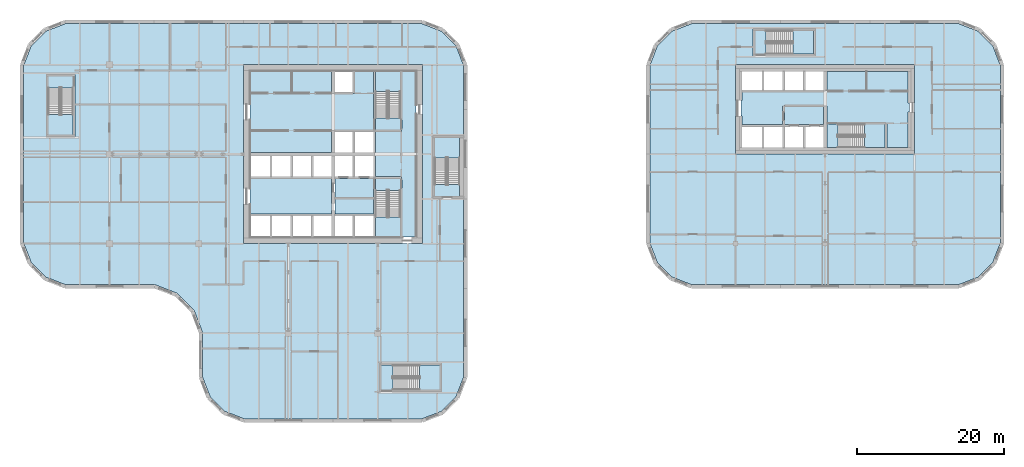
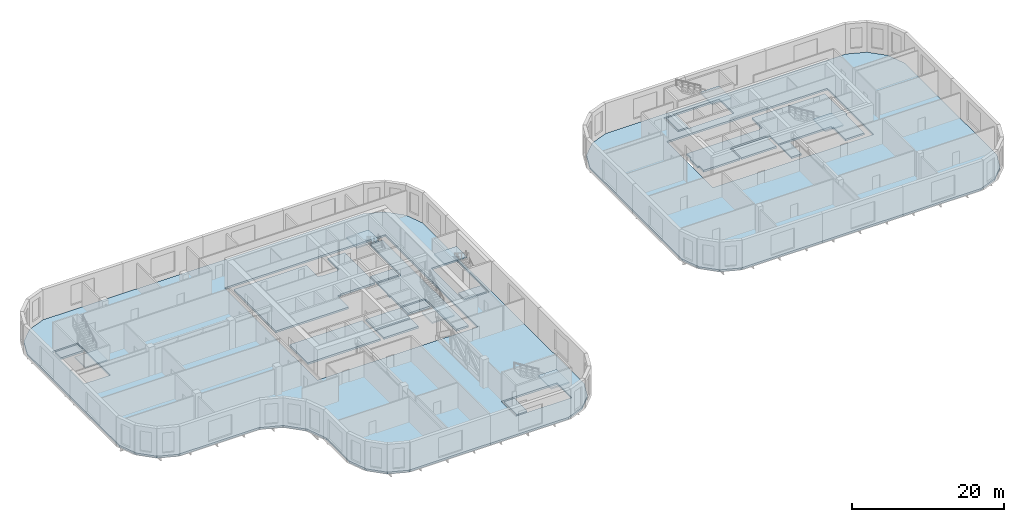
# One storey, part 7 of 21: 23 slabs, 7 elements without a shape of their own.
"""IFC4 building model written with IfcOpenShell, lengths in metres."""

from ifc_helpers import new_model, si_unit, direction, frame, origin, place, context, subcontext, project, spatial, polyline, outline, extrude, material, layer, layer_set, type_object, element, aggregate, save


model = new_model("IFC4")

# Units and contexts
model_context = context("Model", 3, precision=1e-05, world=origin(), true_north=direction((0.0, 1.0)))
body_context = subcontext(model_context, "Body", "Model", "MODEL_VIEW")
ifc_project = project(units=[si_unit("LENGTHUNIT", "METRE"), si_unit("AREAUNIT", "SQUARE_METRE"), si_unit("VOLUMEUNIT", "CUBIC_METRE"), si_unit("PLANEANGLEUNIT", "RADIAN"), si_unit("MASSUNIT", "GRAM", prefix="KILO")], contexts=[model_context])

# Site, building, storey
site_placement = place(None, origin())
site = spatial("IfcSite", under=ifc_project, at=site_placement, CompositionType="ELEMENT")
building_placement = place(site_placement, origin())
building = spatial("IfcBuilding", under=site, at=building_placement, Name="Tessera Gate Towers", CompositionType="ELEMENT")
storey_placement = place(building_placement, frame((0.0, 0.0, 63.800048828125)))
storey = spatial("IfcBuildingStorey", under=building, at=storey_placement, Name="L15", CompositionType="ELEMENT", Elevation=63.800048828125)

# Slabs
ifc_material_1 = material(Name="Concrete C35/45", Category="concrete")
ifc_layer_1 = layer(ifc_material_1, 0.300048828125)
ifc_layer_set_1 = layer_set([ifc_layer_1], Name="COMPOSITE FLOOR 300")
slab_type_1 = type_object("IfcSlabType", Name="COMPOSITE FLOOR 300", PredefinedType="FLOOR", material=ifc_layer_set_1)
slab_1_placement = place(storey_placement, frame((0.0, 0.0, -0.300048828125)))
element("IfcSlab", 1, at=slab_1_placement, inside=storey, type_object=slab_type_1, Name="T1-L15", PredefinedType="FLOOR", context=body_context, shape_type="SweptSolid", body=[
    extrude(outline(polyline([(0.5, 24.4931640625), (1.526123046875, 21.8330078125), (3.533203125, 19.826171875), (6.193115234375, 18.800048828125), (18.39306640625, 18.800048828125), (21.42431640625, 17.630615234375), (23.730712890625, 15.32421875), (24.89990234375, 12.293212890625), (24.89990234375, 6.193115234375), (25.926025390625, 3.533203125), (27.93310546875, 1.526123046875), (30.593017578125, 0.5), (54.806884765625, 0.5), (57.466796875, 1.526123046875), (59.473876953125, 3.533203125), (60.5, 6.193115234375), (60.5, 48.706787109375), (59.473876953125, 51.366943359375), (57.466796875, 53.373779296875), (54.806884765625, 54.39990234375), (6.193115234375, 54.39990234375), (3.533203125, 53.373779296875), (1.526123046875, 51.366943359375), (0.5, 48.706787109375), (0.5, 24.4931640625)]), holes=[polyline([(3.60009765625, 39.0), (3.60009765625, 47.5), (7.5, 47.5), (7.5, 39.0), (3.60009765625, 39.0)]), polyline([(30.5, 24.39990234375), (30.5, 48.800048828125), (54.89990234375, 48.800048828125), (54.89990234375, 24.39990234375), (30.5, 24.39990234375)]), polyline([(49.0, 4.199951171875), (49.0, 8.10009765625), (57.5, 8.10009765625), (57.5, 4.199951171875), (49.0, 4.199951171875)]), polyline([(56.300048828125, 30.60009765625), (56.300048828125, 39.10009765625), (60.199951171875, 39.10009765625), (60.199951171875, 30.60009765625), (56.300048828125, 30.60009765625)])]), origin(), (0.0, 0.0, 1.0), 0.300048828125),
])
slab_2_placement = place(storey_placement, frame((0.0, 0.0, -0.300048828125)))
element("IfcSlab", 2, at=slab_2_placement, inside=storey, type_object=slab_type_1, Name="T2-L15", PredefinedType="FLOOR", context=body_context, shape_type="SweptSolid", body=[
    extrude(outline(polyline([(85.89990234375, 24.4931640625), (86.926025390625, 21.8330078125), (88.93310546875, 19.826171875), (91.593017578125, 18.800048828125), (128.0068359375, 18.800048828125), (130.6669921875, 19.826171875), (132.673828125, 21.8330078125), (133.699951171875, 24.4931640625), (133.699951171875, 48.706787109375), (132.673828125, 51.366943359375), (130.6669921875, 53.373779296875), (128.0068359375, 54.39990234375), (91.593017578125, 54.39990234375), (88.93310546875, 53.373779296875), (86.926025390625, 51.366943359375), (85.89990234375, 48.706787109375), (85.89990234375, 24.4931640625)]), holes=[polyline([(97.60009765625, 36.60009765625), (97.60009765625, 48.800048828125), (122.0, 48.800048828125), (122.0, 36.60009765625), (97.60009765625, 36.60009765625)]), polyline([(100.0, 50.0), (100.0, 53.699951171875), (108.5, 53.699951171875), (108.5, 50.0), (100.0, 50.0)])]), origin(), (0.0, 0.0, 1.0), 0.300048828125),
])
ifc_material_2 = material(Name="Concrete C35/45", Category="concrete")
ifc_layer_2 = layer(ifc_material_2, 0.300048828125)
ifc_layer_set_2 = layer_set([ifc_layer_2], Name="CORE FLOOR SLAB 300")
slab_type_2 = type_object("IfcSlabType", Name="CORE FLOOR SLAB 300", PredefinedType="FLOOR", material=ifc_layer_set_2)
slab_3_placement = place(storey_placement, frame((0.0, 0.0, -0.300048828125)))
element("IfcSlab", 3, at=slab_3_placement, inside=storey, type_object=slab_type_2, Name="L15 core floor slab", PredefinedType="FLOOR", context=body_context, shape_type="SweptSolid", body=[
    extrude(outline(polyline([(31.39990234375, 47.89990234375), (31.39990234375, 36.85009765625), (42.449951171875, 36.85009765625), (42.449951171875, 39.800048828125), (42.949951171875, 39.800048828125), (42.949951171875, 39.925048828125), (48.22509765625, 39.925048828125), (48.22509765625, 47.89990234375), (45.64990234375, 47.89990234375), (45.64990234375, 44.89990234375), (45.39990234375, 44.89990234375), (45.39990234375, 44.77490234375), (42.949951171875, 44.77490234375), (42.949951171875, 44.89990234375), (42.449951171875, 44.89990234375), (42.449951171875, 47.89990234375), (31.39990234375, 47.89990234375)])), origin(), (0.0, 0.0, 1.0), 0.300048828125),
])
slab_4_placement = place(storey_placement, frame((0.0, 0.0, -0.300048828125)))
element("IfcSlab", 4, at=slab_4_placement, inside=storey, type_object=slab_type_2, Name="L15 core floor slab", PredefinedType="FLOOR", context=body_context, shape_type="SweptSolid", body=[
    extrude(outline(polyline([(48.35009765625, 36.85009765625), (48.35009765625, 36.35009765625), (48.47509765625, 36.35009765625), (48.47509765625, 33.52490234375), (52.0, 33.52490234375), (52.0, 33.27490234375), (52.125, 33.27490234375), (52.125, 25.300048828125), (54.0, 25.300048828125), (54.0, 47.89990234375), (52.125, 47.89990234375), (52.125, 39.925048828125), (52.0, 39.925048828125), (52.0, 39.675048828125), (48.47509765625, 39.675048828125), (48.47509765625, 36.85009765625), (48.35009765625, 36.85009765625)])), origin(), (0.0, 0.0, 1.0), 0.300048828125),
])
slab_5_placement = place(storey_placement, frame((0.0, 0.0, -0.300048828125)))
element("IfcSlab", 5, at=slab_5_placement, inside=storey, type_object=slab_type_2, Name="L15 core floor slab", PredefinedType="FLOOR", context=body_context, shape_type="SweptSolid", body=[
    extrude(outline(polyline([(42.449951171875, 28.425048828125), (42.449951171875, 33.27490234375), (31.39990234375, 33.27490234375), (31.39990234375, 28.425048828125), (42.449951171875, 28.425048828125)])), origin(), (0.0, 0.0, 1.0), 0.300048828125),
])
slab_6_placement = place(storey_placement, frame((0.0, 0.0, -0.300048828125)))
element("IfcSlab", 6, at=slab_6_placement, inside=storey, type_object=slab_type_2, Name="L15 core floor slab", PredefinedType="FLOOR", context=body_context, shape_type="SweptSolid", body=[
    extrude(outline(polyline([(42.949951171875, 33.27490234375), (42.949951171875, 30.72509765625), (48.22509765625, 30.72509765625), (48.22509765625, 33.27490234375), (42.949951171875, 33.27490234375)])), origin(), (0.0, 0.0, 1.0), 0.300048828125),
])
slab_7_placement = place(storey_placement, frame((0.0, 0.0, -0.300048828125)))
element("IfcSlab", 7, at=slab_7_placement, inside=storey, type_object=slab_type_2, Name="L15 core floor slab", PredefinedType="FLOOR", context=body_context, shape_type="SweptSolid", body=[
    extrude(outline(polyline([(42.949951171875, 30.47509765625), (42.949951171875, 28.425048828125), (48.22509765625, 28.425048828125), (48.22509765625, 30.47509765625), (42.949951171875, 30.47509765625)])), origin(), (0.0, 0.0, 1.0), 0.300048828125),
])
slab_8_placement = place(storey_placement, frame((0.0, 0.0, -0.300048828125)))
element("IfcSlab", 8, at=slab_8_placement, inside=storey, type_object=slab_type_2, Name="L15 core floor slab", PredefinedType="FLOOR", context=body_context, shape_type="SweptSolid", body=[
    extrude(outline(polyline([(51.875, 31.675048828125), (51.875, 33.27490234375), (48.47509765625, 33.27490234375), (48.47509765625, 31.675048828125), (51.875, 31.675048828125)])), origin(), (0.0, 0.0, 1.0), 0.300048828125),
])
slab_9_placement = place(storey_placement, frame((0.0, 0.0, -0.300048828125)))
element("IfcSlab", 9, at=slab_9_placement, inside=storey, type_object=slab_type_2, Name="L15 core floor slab", PredefinedType="FLOOR", context=body_context, shape_type="SweptSolid", body=[
    extrude(outline(polyline([(48.47509765625, 41.52490234375), (48.47509765625, 39.925048828125), (51.875, 39.925048828125), (51.875, 41.52490234375), (48.47509765625, 41.52490234375)])), origin(), (0.0, 0.0, 1.0), 0.300048828125),
])
slab_10_placement = place(storey_placement, frame((0.0, 0.0, -0.300048828125)))
element("IfcSlab", 10, at=slab_10_placement, inside=storey, type_object=slab_type_2, Name="L15 ST3 floor landing", PredefinedType="FLOOR", context=body_context, shape_type="SweptSolid", body=[
    extrude(outline(polyline([(3.85009765625, 47.25), (3.85009765625, 45.64990234375), (7.25, 45.64990234375), (7.25, 47.25), (3.85009765625, 47.25)])), origin(), (0.0, 0.0, 1.0), 0.300048828125),
])
slab_11_placement = place(storey_placement, frame((0.0, 0.0, -0.300048828125)))
element("IfcSlab", 11, at=slab_11_placement, inside=storey, type_object=slab_type_2, Name="L15 ST4 floor landing", PredefinedType="FLOOR", context=body_context, shape_type="SweptSolid", body=[
    extrude(outline(polyline([(49.25, 4.449951171875), (50.85009765625, 4.449951171875), (50.85009765625, 7.85009765625), (49.25, 7.85009765625), (49.25, 4.449951171875)])), origin(), (0.0, 0.0, 1.0), 0.300048828125),
])
slab_12_placement = place(storey_placement, frame((0.0, 0.0, -0.300048828125)))
element("IfcSlab", 12, at=slab_12_placement, inside=storey, type_object=slab_type_2, Name="L15 ST5 floor landing", PredefinedType="FLOOR", context=body_context, shape_type="SweptSolid", body=[
    extrude(outline(polyline([(59.949951171875, 30.85009765625), (59.949951171875, 32.449951171875), (56.550048828125, 32.449951171875), (56.550048828125, 30.85009765625), (59.949951171875, 30.85009765625)])), origin(), (0.0, 0.0, 1.0), 0.300048828125),
])
slab_13_placement = place(storey_placement, frame((0.0, 0.0, -0.300048828125)))
element("IfcSlab", 13, at=slab_13_placement, inside=storey, type_object=slab_type_2, Name="L15 core floor slab", PredefinedType="FLOOR", context=body_context, shape_type="SweptSolid", body=[
    extrude(outline(polyline([(109.550048828125, 45.199951171875), (109.550048828125, 45.074951171875), (98.5, 45.074951171875), (98.5, 43.89990234375), (98.300048828125, 43.89990234375), (98.300048828125, 41.800048828125), (98.5, 41.800048828125), (98.5, 40.625), (104.02490234375, 40.625), (104.02490234375, 43.199951171875), (104.27490234375, 43.199951171875), (104.27490234375, 43.324951171875), (109.550048828125, 43.324951171875), (109.550048828125, 43.199951171875), (110.050048828125, 43.199951171875), (110.050048828125, 40.949951171875), (118.10009765625, 40.949951171875), (118.10009765625, 40.699951171875), (118.22509765625, 40.699951171875), (118.22509765625, 37.5), (121.10009765625, 37.5), (121.10009765625, 42.35009765625), (121.300048828125, 42.35009765625), (121.300048828125, 43.550048828125), (121.10009765625, 43.550048828125), (121.10009765625, 47.89990234375), (110.050048828125, 47.89990234375), (110.050048828125, 45.199951171875), (109.550048828125, 45.199951171875)])), origin(), (0.0, 0.0, 1.0), 0.300048828125),
])
slab_14_placement = place(storey_placement, frame((0.0, 0.0, -0.300048828125)))
element("IfcSlab", 14, at=slab_14_placement, inside=storey, type_object=slab_type_2, Name="L15 core floor slab", PredefinedType="FLOOR", context=body_context, shape_type="SweptSolid", body=[
    extrude(outline(polyline([(109.550048828125, 43.074951171875), (104.27490234375, 43.074951171875), (104.27490234375, 40.625), (109.550048828125, 40.625), (109.550048828125, 43.074951171875)])), origin(), (0.0, 0.0, 1.0), 0.300048828125),
])
slab_15_placement = place(storey_placement, frame((0.0, 0.0, -0.300048828125)))
element("IfcSlab", 15, at=slab_15_placement, inside=storey, type_object=slab_type_2, Name="L15 core floor slab", PredefinedType="FLOOR", context=body_context, shape_type="SweptSolid", body=[
    extrude(outline(polyline([(111.550048828125, 37.5), (111.550048828125, 40.699951171875), (110.050048828125, 40.699951171875), (110.050048828125, 37.5), (111.550048828125, 37.5)])), origin(), (0.0, 0.0, 1.0), 0.300048828125),
])
slab_16_placement = place(storey_placement, frame((0.0, 0.0, -0.300048828125)))
element("IfcSlab", 16, at=slab_16_placement, inside=storey, type_object=slab_type_2, Name="L15 ST7 floor landing", PredefinedType="FLOOR", context=body_context, shape_type="SweptSolid", body=[
    extrude(outline(polyline([(100.25, 50.25), (101.75, 50.25), (101.75, 53.449951171875), (100.25, 53.449951171875), (100.25, 50.25)])), origin(), (0.0, 0.0, 1.0), 0.300048828125),
])

# Stair, slab
ifc_material_3 = material(Name="Concrete C40/50", Category="concrete")
stair_type_1 = type_object("IfcStairType", Name="EXIT STAIR ST1A 1600", PredefinedType="HALF_TURN_STAIR", material=ifc_material_3)
stair_1_placement = place(storey_placement, origin())
stair_1 = element("IfcStair", 17, at=stair_1_placement, inside=storey, type_object=stair_type_1, Name="L15 Protected Exit Stair ST1", PredefinedType="HALF_TURN_STAIR")
ifc_material_4 = material(Name="Concrete C40/50", Category="concrete")
ifc_layer_3 = layer(ifc_material_4, 0.199951171875)
ifc_layer_set_3 = layer_set([ifc_layer_3], Name="EXIT STAIR LANDING 200")
slab_type_3 = type_object("IfcSlabType", Name="EXIT STAIR LANDING 200", PredefinedType="LANDING", material=ifc_layer_set_3)
slab_17_placement = place(storey_placement, frame((0.0, 0.0, 2.199951171875)))
slab_17 = element("IfcSlab", 18, at=slab_17_placement, type_object=slab_type_3, Name="ST1 landing 1", PredefinedType="LANDING", context=body_context, shape_type="SweptSolid", body=[
    extrude(outline(polyline([(48.47509765625, 28.034912109375), (48.47509765625, 25.300048828125), (51.875, 25.300048828125), (51.875, 28.034912109375), (48.47509765625, 28.034912109375)])), origin(), (0.0, 0.0, 1.0), 0.199951171875),
])
aggregate(stair_1, [slab_17])

ifc_material_5 = material(Name="Concrete C40/50", Category="concrete")
stair_type_2 = type_object("IfcStairType", Name="EXIT STAIR ST2A 1600", PredefinedType="HALF_TURN_STAIR", material=ifc_material_5)
stair_2_placement = place(storey_placement, origin())
stair_2 = element("IfcStair", 19, at=stair_2_placement, inside=storey, type_object=stair_type_2, Name="L15 Protected Exit Stair ST2", PredefinedType="HALF_TURN_STAIR")
slab_18_placement = place(storey_placement, frame((0.0, 0.0, 2.199951171875)))
slab_18 = element("IfcSlab", 20, at=slab_18_placement, type_object=slab_type_3, Name="ST2 landing 1", PredefinedType="LANDING", context=body_context, shape_type="SweptSolid", body=[
    extrude(outline(polyline([(51.875, 45.1650390625), (51.875, 47.89990234375), (48.47509765625, 47.89990234375), (48.47509765625, 45.1650390625), (51.875, 45.1650390625)])), origin(), (0.0, 0.0, 1.0), 0.199951171875),
])
aggregate(stair_2, [slab_18])

ifc_material_6 = material(Name="Concrete C40/50", Category="concrete")
stair_type_3 = type_object("IfcStairType", Name="EXIT STAIR ST3A 1600", PredefinedType="HALF_TURN_STAIR", material=ifc_material_6)
stair_3_placement = place(storey_placement, origin())
stair_3 = element("IfcStair", 21, at=stair_3_placement, inside=storey, type_object=stair_type_3, Name="L15 West Exit Stair ST3", PredefinedType="HALF_TURN_STAIR")
slab_19_placement = place(storey_placement, frame((0.0, 0.0, 2.199951171875)))
slab_19 = element("IfcSlab", 22, at=slab_19_placement, type_object=slab_type_3, Name="ST3 landing 1", PredefinedType="LANDING", context=body_context, shape_type="SweptSolid", body=[
    extrude(outline(polyline([(3.85009765625, 42.010009765625), (3.85009765625, 39.25), (7.25, 39.25), (7.25, 42.010009765625), (3.85009765625, 42.010009765625)])), origin(), (0.0, 0.0, 1.0), 0.199951171875),
])
aggregate(stair_3, [slab_19])

ifc_material_7 = material(Name="Concrete C40/50", Category="concrete")
stair_type_4 = type_object("IfcStairType", Name="EXIT STAIR ST4A 1600", PredefinedType="HALF_TURN_STAIR", material=ifc_material_7)
stair_4_placement = place(storey_placement, origin())
stair_4 = element("IfcStair", 23, at=stair_4_placement, inside=storey, type_object=stair_type_4, Name="L15 South Exit Stair ST4", PredefinedType="HALF_TURN_STAIR")
slab_20_placement = place(storey_placement, frame((0.0, 0.0, 2.199951171875)))
slab_20 = element("IfcSlab", 24, at=slab_20_placement, type_object=slab_type_3, Name="ST4 landing 1", PredefinedType="LANDING", context=body_context, shape_type="SweptSolid", body=[
    extrude(outline(polyline([(54.489990234375, 4.449951171875), (57.25, 4.449951171875), (57.25, 7.85009765625), (54.489990234375, 7.85009765625), (54.489990234375, 4.449951171875)])), origin(), (0.0, 0.0, 1.0), 0.199951171875),
])
aggregate(stair_4, [slab_20])

ifc_material_8 = material(Name="Concrete C40/50", Category="concrete")
stair_type_5 = type_object("IfcStairType", Name="EXIT STAIR ST5A 1600", PredefinedType="HALF_TURN_STAIR", material=ifc_material_8)
stair_5_placement = place(storey_placement, origin())
stair_5 = element("IfcStair", 25, at=stair_5_placement, inside=storey, type_object=stair_type_5, Name="L15 East Exit Stair ST5", PredefinedType="HALF_TURN_STAIR")
slab_21_placement = place(storey_placement, frame((0.0, 0.0, 2.199951171875)))
slab_21 = element("IfcSlab", 26, at=slab_21_placement, type_object=slab_type_3, Name="ST5 landing 1", PredefinedType="LANDING", context=body_context, shape_type="SweptSolid", body=[
    extrude(outline(polyline([(59.949951171875, 36.090087890625), (59.949951171875, 38.85009765625), (56.550048828125, 38.85009765625), (56.550048828125, 36.090087890625), (59.949951171875, 36.090087890625)])), origin(), (0.0, 0.0, 1.0), 0.199951171875),
])
aggregate(stair_5, [slab_21])

ifc_material_9 = material(Name="Concrete C40/50", Category="concrete")
stair_type_6 = type_object("IfcStairType", Name="EXIT STAIR ST6A 1500", PredefinedType="HALF_TURN_STAIR", material=ifc_material_9)
stair_6_placement = place(storey_placement, origin())
stair_6 = element("IfcStair", 27, at=stair_6_placement, inside=storey, type_object=stair_type_6, Name="L15 Protected Exit Stair ST6", PredefinedType="HALF_TURN_STAIR")
slab_22_placement = place(storey_placement, frame((0.0, 0.0, 2.199951171875)))
slab_22 = element("IfcSlab", 28, at=slab_22_placement, type_object=slab_type_3, Name="ST6 landing 1", PredefinedType="LANDING", context=body_context, shape_type="SweptSolid", body=[
    extrude(outline(polyline([(115.18994140625, 37.5), (117.97509765625, 37.5), (117.97509765625, 40.699951171875), (115.18994140625, 40.699951171875), (115.18994140625, 37.5)])), origin(), (0.0, 0.0, 1.0), 0.199951171875),
])
aggregate(stair_6, [slab_22])

ifc_material_10 = material(Name="Concrete C40/50", Category="concrete")
stair_type_7 = type_object("IfcStairType", Name="EXIT STAIR ST7A 1500", PredefinedType="HALF_TURN_STAIR", material=ifc_material_10)
stair_7_placement = place(storey_placement, origin())
stair_7 = element("IfcStair", 29, at=stair_7_placement, inside=storey, type_object=stair_type_7, Name="L15 North Exit Stair ST7", PredefinedType="HALF_TURN_STAIR")
slab_23_placement = place(storey_placement, frame((0.0, 0.0, 2.199951171875)))
slab_23 = element("IfcSlab", 30, at=slab_23_placement, type_object=slab_type_3, Name="ST7 landing 1", PredefinedType="LANDING", context=body_context, shape_type="SweptSolid", body=[
    extrude(outline(polyline([(105.389892578125, 50.25), (108.25, 50.25), (108.25, 53.449951171875), (105.389892578125, 53.449951171875), (105.389892578125, 50.25)])), origin(), (0.0, 0.0, 1.0), 0.199951171875),
])
aggregate(stair_7, [slab_23])

save(model, "model.ifc")
